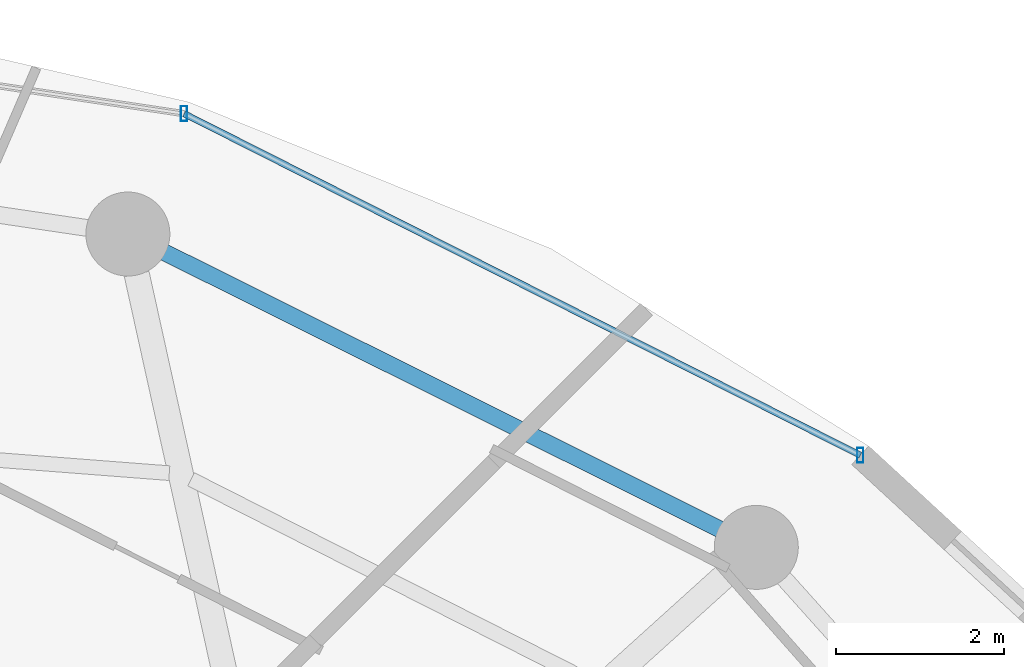
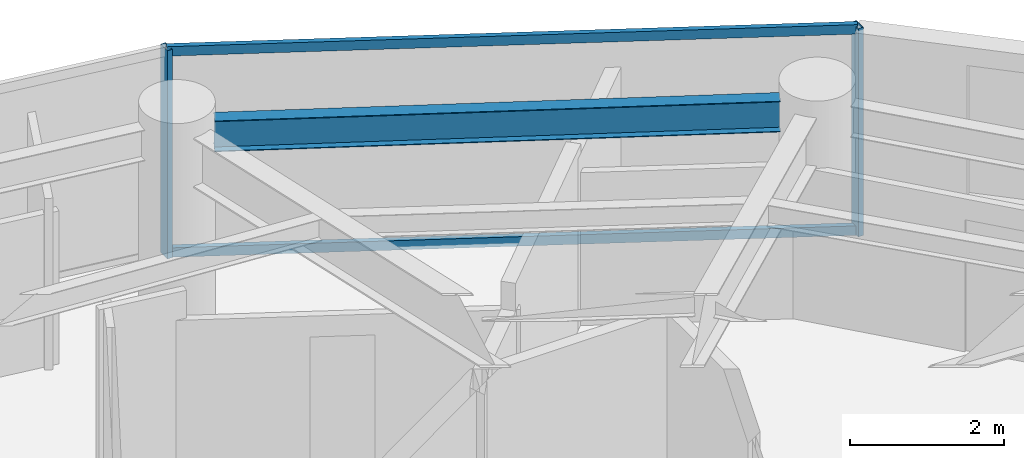
# One storey, part 20 of 31: 4 members, 1 beam, 1 element without a shape of its own.
"""IFC4 building model written with IfcOpenShell, lengths in metres."""

from ifc_helpers import new_model, si_unit, direction, frame, origin, origin_2d, place, context, subcontext, project, spatial, hollow_rectangle, i_section, extrude, material, material_profile, profile_set, type_object, element, aggregate, save


model = new_model("IFC4")

# Units and contexts
model_context = context("Model", 3, precision=1e-05, world=origin(), true_north=direction((0.0, 1.0)))
body_context = subcontext(model_context, "Body", "Model", "MODEL_VIEW")
ifc_project = project(units=[si_unit("LENGTHUNIT", "METRE"), si_unit("AREAUNIT", "SQUARE_METRE"), si_unit("VOLUMEUNIT", "CUBIC_METRE"), si_unit("PLANEANGLEUNIT", "RADIAN"), si_unit("MASSUNIT", "GRAM", prefix="KILO")], contexts=[model_context])

# Site, building, storey
site_placement = place(None, origin())
site = spatial("IfcSite", under=ifc_project, at=site_placement, CompositionType="ELEMENT")
building_placement = place(site_placement, origin())
building = spatial("IfcBuilding", under=site, at=building_placement, Name="Vorneva Point Tower", CompositionType="ELEMENT")
storey_placement = place(building_placement, frame((0.0, 0.0, 129.10009765625)))
storey = spatial("IfcBuildingStorey", under=building, at=storey_placement, Name="L34", CompositionType="ELEMENT", Elevation=129.10009765625)

# Beam
ifc_material_1 = material(Name="Steel S355", Category="steel")
ifc_material_profile_1 = material_profile(ifc_material_1, i_section(OverallWidth=0.199951171875, OverallDepth=0.491943359375, WebThickness=0.0087890625, FlangeThickness=0.011962890625, at=origin_2d()), Name="50B1")
ifc_profile_set_1 = profile_set([ifc_material_profile_1], Name="Steel S355")
beam_type = type_object("IfcBeamType", Name="BM-SPN-50B1", PredefinedType="SPANDREL", material=ifc_profile_set_1)
beam_placement = place(storey_placement, frame((53.86474609375, 38.378662109375, 2.993896484375), z_axis=(-0.894929061397, 0.446208443518, 0.0), x_axis=(-0.446208443518, -0.894929061397, 0.0)))
element("IfcBeam", 1, at=beam_placement, inside=storey, type_object=beam_type, Name="L34 Perimeter Spandrel Ring Beam 03", PredefinedType="SPANDREL", context=body_context, shape_type="SweptSolid", body=[
    extrude(i_section(OverallWidth=0.199951171875, OverallDepth=0.491943359375, WebThickness=0.0087890625, FlangeThickness=0.011962890625, at=origin_2d()), origin(), (0.0, 0.0, 1.0), 7.385986328125),
])

# Curtain wall, members
ifc_material_2 = material(Name="Pale anodised aluminium", Category="aluminium")
curtain_wall_type = type_object("IfcCurtainWallType", Name="CW-RES-SYS", PredefinedType="NOTDEFINED", material=ifc_material_2)
curtain_wall_placement = place(storey_placement, origin())
curtain_wall = element("IfcCurtainWall", 2, at=curtain_wall_placement, inside=storey, type_object=curtain_wall_type, Name="L34 Unitised Curtain Wall CW-L34-R02", PredefinedType="NOTDEFINED")
ifc_material_profile_2 = material_profile(ifc_material_2, hollow_rectangle(XDim=0.074951171875, YDim=0.179931640625, WallThickness=0.00390625, at=origin_2d()), Name="AL-MUL 180x75x4")
ifc_profile_set_2 = profile_set([ifc_material_profile_2], Name="Pale anodised aluminium")
member_type_1 = type_object("IfcMemberType", Name="CW-MUL-180", PredefinedType="MULLION", material=ifc_profile_set_2)
member_1_placement = place(storey_placement, frame((55.5361328125, 39.25830078125, -0.0400390625), z_axis=(0.0, 0.0, 1.0), x_axis=(1.0, 0.0, 0.0)))
member_1 = element("IfcMember", 3, at=member_1_placement, type_object=member_type_1, Name="CW-L34-R02 Mullion 01", PredefinedType="MULLION", context=body_context, shape_type="SweptSolid", body=[
    extrude(hollow_rectangle(XDim=0.074951171875, YDim=0.179931640625, WallThickness=0.00390625, at=origin_2d()), origin(), (0.0, 0.0, 1.0), 3.31005859375),
])
member_2_placement = place(storey_placement, frame((47.490478515625, 43.32275390625, -0.0400390625), z_axis=(0.0, 0.0, 1.0), x_axis=(1.0, 0.0, 0.0)))
member_2 = element("IfcMember", 4, at=member_2_placement, type_object=member_type_1, Name="CW-L34-R02 Mullion 02", PredefinedType="MULLION", context=body_context, shape_type="SweptSolid", body=[
    extrude(hollow_rectangle(XDim=0.074951171875, YDim=0.179931640625, WallThickness=0.00390625, at=origin_2d()), origin(), (0.0, 0.0, 1.0), 3.31005859375),
])
ifc_material_profile_3 = material_profile(ifc_material_2, hollow_rectangle(XDim=0.074951171875, YDim=0.14990234375, WallThickness=0.00390625, at=origin_2d()), Name="AL-TRN 150x75x4")
ifc_profile_set_3 = profile_set([ifc_material_profile_3], Name="Pale anodised aluminium")
member_type_2 = type_object("IfcMemberType", Name="CW-TRN-150", PredefinedType="USERDEFINED", material=ifc_profile_set_3)
member_3_placement = place(storey_placement, frame((55.5361328125, 39.25830078125, 0.02001953125), z_axis=(-0.892572392955, 0.450904117673, 0.0), x_axis=(-0.450904117673, -0.892572392955, 0.0)))
member_3 = element("IfcMember", 5, at=member_3_placement, type_object=member_type_2, Name="CW-L34-R02 Transom 01.1", ObjectType="TRANSOM", PredefinedType="USERDEFINED", context=body_context, shape_type="SweptSolid", body=[
    extrude(hollow_rectangle(XDim=0.074951171875, YDim=0.14990234375, WallThickness=0.00390625, at=origin_2d()), origin(), (0.0, 0.0, 1.0), 9.013916015625),
])
member_4_placement = place(storey_placement, frame((55.5361328125, 39.25830078125, 3.219970703125), z_axis=(-0.892572392955, 0.450904117673, 0.0), x_axis=(-0.450904117673, -0.892572392955, 0.0)))
member_4 = element("IfcMember", 6, at=member_4_placement, type_object=member_type_2, Name="CW-L34-R02 Transom 01.2", ObjectType="TRANSOM", PredefinedType="USERDEFINED", context=body_context, shape_type="SweptSolid", body=[
    extrude(hollow_rectangle(XDim=0.074951171875, YDim=0.14990234375, WallThickness=0.00390625, at=origin_2d()), origin(), (0.0, 0.0, 1.0), 9.013916015625),
])
aggregate(curtain_wall, [member_1, member_2, member_3, member_4])

save(model, "model.ifc")
